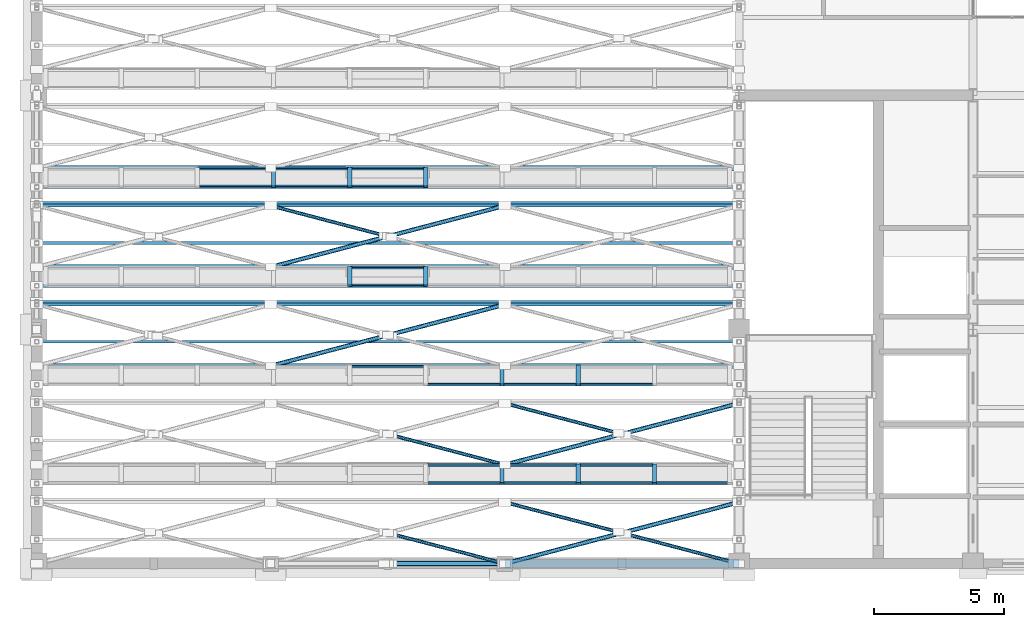
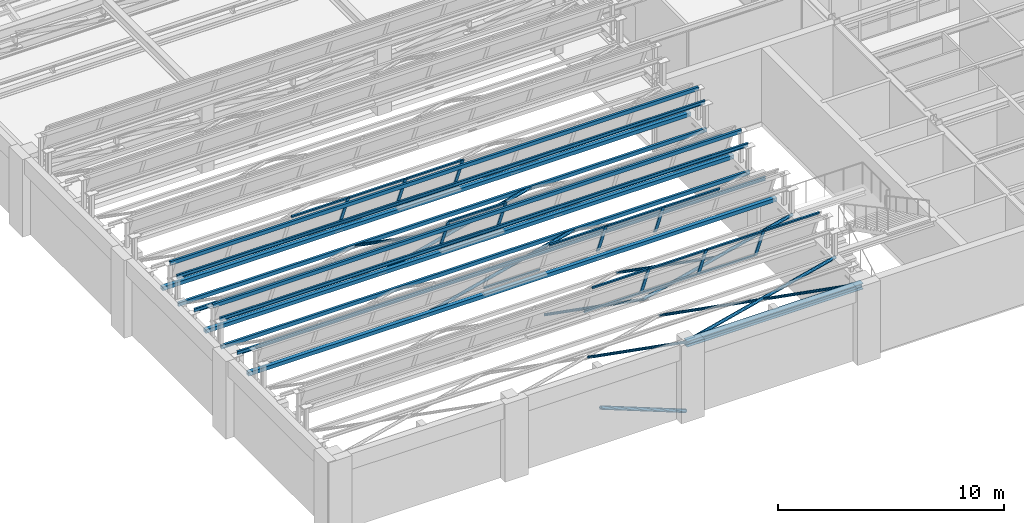
# One storey, part 18 of 108: 47 members, 5 beams, 4 elements without a shape of their own.
"""IFC4 building model written with IfcOpenShell, lengths in metres."""

from ifc_helpers import new_model, si_unit, direction, frame, origin, origin_2d, place, context, subcontext, project, spatial, hollow_rectangle, hollow_circle, i_section, extrude, material, material_profile, profile_set, type_object, element, aggregate, save


model = new_model("IFC4")

# Units and contexts
model_context = context("Model", 3, precision=1e-05, world=origin(), true_north=direction((0.0, 1.0)))
body_context = subcontext(model_context, "Body", "Model", "MODEL_VIEW")
ifc_project = project(units=[si_unit("LENGTHUNIT", "METRE"), si_unit("AREAUNIT", "SQUARE_METRE"), si_unit("VOLUMEUNIT", "CUBIC_METRE"), si_unit("PLANEANGLEUNIT", "RADIAN"), si_unit("MASSUNIT", "GRAM", prefix="KILO")], contexts=[model_context])

# Site, building, storey
site_placement = place(None, origin())
site = spatial("IfcSite", under=ifc_project, at=site_placement, CompositionType="ELEMENT")
building_placement = place(site_placement, origin())
building = spatial("IfcBuilding", under=site, at=building_placement, Name="Lykobir Media Centre", CompositionType="ELEMENT")
storey_placement = place(building_placement, frame((0.0, 0.0, 15.0)))
storey = spatial("IfcBuildingStorey", under=building, at=storey_placement, Name="L03", CompositionType="ELEMENT", Elevation=15.0)

# Members
ifc_material_1 = material(Name="Steel S355", Category="steel")
ifc_material_profile_1 = material_profile(ifc_material_1, hollow_circle(Radius=0.06982421875, WallThickness=0.008056640625, at=origin_2d()), Name="CHS 139.7x8.0")
ifc_profile_set_1 = profile_set([ifc_material_profile_1], Name="Steel S355")
member_type_1 = type_object("IfcMemberType", Name="BR-CHS140", PredefinedType="BRACE", material=ifc_profile_set_1)
for number, where, z_axis, x_axis, name in (
    (1, (18.0, 0.0, 3.840087890625), (-0.967266997824, 0.253760822274, 0.0), (-0.253760822274, -0.967266997824, 0.0), "Diagonal brace MEM2-L03-0180-0000-0188-0136-0011-0152"),
    (2, (27.0, 0.0, 3.840087890625), (-0.967266997824, 0.253760822274, 0.0), (-0.253760822274, -0.967266997824, 0.0), "Diagonal brace MEM2-L03-0270-0000-0188-0226-0011-0155"),
    (3, (22.364501953125, 1.216064453125, 3.840087890625), (-0.967253715929, 0.253811443834, 0.0), (-0.253811443834, -0.967253715929, 0.0), "Diagonal brace MEM2-L03-0224-0012-0188-0180-0024-0156"),
    (4, (18.0, 3.800048828125, 3.840087890625), (-0.967266997824, 0.253760822274, 0.0), (-0.253760822274, -0.967266997824, 0.0), "Diagonal brace MEM2-L03-0180-0038-0188-0136-0049-0172"),
    (5, (22.364501953125, 5.01611328125, 3.840087890625), (-0.967253715929, 0.253811443834, 0.0), (-0.253811443834, -0.967253715929, 0.0), "Diagonal brace MEM2-L03-0224-0050-0188-0180-0062-0176"),
    (6, (13.364501953125, 12.6162109375, 3.840087890625), (-0.967266997824, 0.253760822274, 0.0), (-0.253760822274, -0.967266997824, 0.0), "Diagonal brace MEM2-L03-0134-0126-0188-0090-0138-0213"),
):
    element("IfcMember", number, at=place(storey_placement, frame(where, z_axis=z_axis, x_axis=x_axis)), inside=storey, type_object=member_type_1, Name=name, PredefinedType="BRACE", context=body_context, shape_type="SweptSolid", body=[
        extrude(hollow_circle(Radius=0.06982421875, WallThickness=0.008056640625, at=origin_2d()), origin(), (0.0, 0.0, 1.0), 4.51220703125),
    ])
ifc_material_profile_2 = material_profile(ifc_material_1, hollow_circle(Radius=0.084228515625, WallThickness=0.010009765625, at=origin_2d()), Name="CHS 168.3x10.0")
ifc_profile_set_2 = profile_set([ifc_material_profile_2], Name="Steel S355")
member_type_2 = type_object("IfcMemberType", Name="BR-CHS168", PredefinedType="BRACE", material=ifc_profile_set_2)
for number, where, z_axis, x_axis, name in (
    (7, (18.0, 0.0, 3.840087890625), (0.967261887678, 0.253780299957, 0.0), (-0.253780299957, 0.967261887678, 0.0), "Diagonal brace MEM2-L03-0180-0000-0188-0270-0024-0154"),
    (8, (18.0, 3.800048828125, 3.840087890625), (0.967261887678, 0.253780299957, 0.0), (-0.253780299957, 0.967261887678, 0.0), "Diagonal brace MEM2-L03-0180-0038-0188-0270-0062-0174"),
):
    element("IfcMember", number, at=place(storey_placement, frame(where, z_axis=z_axis, x_axis=x_axis)), inside=storey, type_object=member_type_2, Name=name, PredefinedType="BRACE", context=body_context, shape_type="SweptSolid", body=[
        extrude(hollow_circle(Radius=0.084228515625, WallThickness=0.010009765625, at=origin_2d()), origin(), (0.0, 0.0, 1.0), 9.3046875),
    ])
member_1_placement = place(storey_placement, frame((9.0, 7.60009765625, 3.840087890625), z_axis=(0.967268328265, 0.25375575094, 0.0), x_axis=(-0.25375575094, 0.967268328265, 0.0)))
element("IfcMember", 9, at=member_1_placement, inside=storey, type_object=member_type_2, Name="Diagonal brace MEM2-L03-0090-0076-0188-0180-0100-0191", PredefinedType="BRACE", context=body_context, shape_type="SweptSolid", body=[
    extrude(hollow_circle(Radius=0.084228515625, WallThickness=0.010009765625, at=origin_2d()), origin(), (0.0, 0.0, 1.0), 9.304443359375),
])
member_2_placement = place(storey_placement, frame((9.0, 11.39990234375, 3.840087890625), z_axis=(0.967261887678, 0.253780299957, 0.0), x_axis=(-0.253780299957, 0.967261887678, 0.0)))
element("IfcMember", 10, at=member_2_placement, inside=storey, type_object=member_type_2, Name="Diagonal brace MEM2-L03-0090-0114-0188-0180-0138-0211", PredefinedType="BRACE", context=body_context, shape_type="SweptSolid", body=[
    extrude(hollow_circle(Radius=0.084228515625, WallThickness=0.010009765625, at=origin_2d()), origin(), (0.0, 0.0, 1.0), 9.3046875),
])
ifc_material_profile_3 = material_profile(ifc_material_1, hollow_circle(Radius=0.096923828125, WallThickness=0.010009765625, at=origin_2d()), Name="CHS 193.7x10.0")
ifc_profile_set_3 = profile_set([ifc_material_profile_3], Name="Steel S355")
member_type_3 = type_object("IfcMemberType", Name="BR-CHS194-E", PredefinedType="BRACE", material=ifc_profile_set_3)
member_3_placement = place(storey_placement, frame((18.0, 0.0, 0.1201171875), z_axis=(-0.931310611003, 0.0, 0.364225954365), x_axis=(0.0, -1.0, 0.0)))
element("IfcMember", 11, at=member_3_placement, inside=storey, type_object=member_type_3, Name="Diagonal brace MEM2-L03-0180-0000-0151-0136-0000-0561", PredefinedType="BRACE", context=body_context, shape_type="SweptSolid", body=[
    extrude(hollow_circle(Radius=0.096923828125, WallThickness=0.010009765625, at=origin_2d()), origin(), (0.0, 0.0, 1.0), 4.671875),
])

# Curtain wall, members
ifc_material_2 = material(Name="Anodized Aluminium AW-6060", Category="aluminium")
curtain_wall_type = type_object("IfcCurtainWallType", Name="CW-NL-V1", PredefinedType="NOTDEFINED", material=ifc_material_2)
curtain_wall_1_placement = place(storey_placement, origin())
curtain_wall_1 = element("IfcCurtainWall", 12, at=curtain_wall_1_placement, inside=storey, type_object=curtain_wall_type, Name="Curtain wall CW-NL-V1-01", PredefinedType="NOTDEFINED")
ifc_material_profile_4 = material_profile(ifc_material_2, hollow_rectangle(XDim=0.070068359375, YDim=0.1650390625, WallThickness=0.00390625, at=origin_2d()), Name="ALU MULLION 70x165")
ifc_profile_set_4 = profile_set([ifc_material_profile_4], Name="Anodized Aluminium AW-6060")
member_type_4 = type_object("IfcMemberType", Name="CWM-165", PredefinedType="MULLION", material=ifc_profile_set_4)
member_4_placement = place(storey_placement, frame((17.893310546875, 3.800048828125, 4.199951171875), z_axis=(0.0, -0.374591377287, 0.927190002137), x_axis=(0.0, 0.927190002137, 0.374591377287)))
member_4 = element("IfcMember", 13, at=member_4_placement, type_object=member_type_4, Name="CW-NL-V1-01 mullion 7", PredefinedType="MULLION", context=body_context, shape_type="SweptSolid", body=[
    extrude(hollow_rectangle(XDim=0.070068359375, YDim=0.1650390625, WallThickness=0.00390625, at=origin_2d()), origin(), (0.0, 0.0, 1.0), 1.918701171875),
])
member_5_placement = place(storey_placement, frame((20.822265625, 3.800048828125, 4.199951171875), z_axis=(0.0, -0.374591377287, 0.927190002137), x_axis=(0.0, 0.927190002137, 0.374591377287)))
member_5 = element("IfcMember", 14, at=member_5_placement, type_object=member_type_4, Name="CW-NL-V1-01 mullion 8", PredefinedType="MULLION", context=body_context, shape_type="SweptSolid", body=[
    extrude(hollow_rectangle(XDim=0.070068359375, YDim=0.1650390625, WallThickness=0.00390625, at=origin_2d()), origin(), (0.0, 0.0, 1.0), 1.918701171875),
])
member_6_placement = place(storey_placement, frame((23.751220703125, 3.800048828125, 4.199951171875), z_axis=(0.0, -0.374591377287, 0.927190002137), x_axis=(0.0, 0.927190002137, 0.374591377287)))
member_6 = element("IfcMember", 15, at=member_6_placement, type_object=member_type_4, Name="CW-NL-V1-01 mullion 9", PredefinedType="MULLION", context=body_context, shape_type="SweptSolid", body=[
    extrude(hollow_rectangle(XDim=0.070068359375, YDim=0.1650390625, WallThickness=0.00390625, at=origin_2d()), origin(), (0.0, 0.0, 1.0), 1.918701171875),
])

curtain_wall_2_placement = place(storey_placement, origin())
curtain_wall_2 = element("IfcCurtainWall", 16, at=curtain_wall_2_placement, inside=storey, type_object=curtain_wall_type, Name="Curtain wall CW-NL-V1-02", PredefinedType="NOTDEFINED")
member_7_placement = place(storey_placement, frame((17.893310546875, 7.60009765625, 4.199951171875), z_axis=(0.0, -0.374700754386, 0.927145805504), x_axis=(0.0, 0.927145805504, 0.374700754386)))
member_7 = element("IfcMember", 17, at=member_7_placement, type_object=member_type_4, Name="CW-NL-V1-02 mullion 7", PredefinedType="MULLION", context=body_context, shape_type="SweptSolid", body=[
    extrude(hollow_rectangle(XDim=0.070068359375, YDim=0.1650390625, WallThickness=0.00390625, at=origin_2d()), origin(), (0.0, 0.0, 1.0), 1.9189453125),
])
member_8_placement = place(storey_placement, frame((20.822265625, 7.60009765625, 4.199951171875), z_axis=(0.0, -0.374700754386, 0.927145805504), x_axis=(0.0, 0.927145805504, 0.374700754386)))
member_8 = element("IfcMember", 18, at=member_8_placement, type_object=member_type_4, Name="CW-NL-V1-02 mullion 8", PredefinedType="MULLION", context=body_context, shape_type="SweptSolid", body=[
    extrude(hollow_rectangle(XDim=0.070068359375, YDim=0.1650390625, WallThickness=0.00390625, at=origin_2d()), origin(), (0.0, 0.0, 1.0), 1.9189453125),
])

curtain_wall_3_placement = place(storey_placement, origin())
curtain_wall_3 = element("IfcCurtainWall", 19, at=curtain_wall_3_placement, inside=storey, type_object=curtain_wall_type, Name="Curtain wall CW-NL-V1-03", PredefinedType="NOTDEFINED")
member_9_placement = place(storey_placement, frame((12.03564453125, 11.39990234375, 4.199951171875), z_axis=(0.0, -0.374591377287, 0.927190002137), x_axis=(0.0, 0.927190002137, 0.374591377287)))
member_9 = element("IfcMember", 20, at=member_9_placement, type_object=member_type_4, Name="CW-NL-V1-03 mullion 5", PredefinedType="MULLION", context=body_context, shape_type="SweptSolid", body=[
    extrude(hollow_rectangle(XDim=0.070068359375, YDim=0.1650390625, WallThickness=0.00390625, at=origin_2d()), origin(), (0.0, 0.0, 1.0), 1.918701171875),
])
member_10_placement = place(storey_placement, frame((14.96435546875, 11.39990234375, 4.199951171875), z_axis=(0.0, -0.374591377287, 0.927190002137), x_axis=(0.0, 0.927190002137, 0.374591377287)))
member_10 = element("IfcMember", 21, at=member_10_placement, type_object=member_type_4, Name="CW-NL-V1-03 mullion 6", PredefinedType="MULLION", context=body_context, shape_type="SweptSolid", body=[
    extrude(hollow_rectangle(XDim=0.070068359375, YDim=0.1650390625, WallThickness=0.00390625, at=origin_2d()), origin(), (0.0, 0.0, 1.0), 1.918701171875),
])

curtain_wall_4_placement = place(storey_placement, origin())
curtain_wall_4 = element("IfcCurtainWall", 22, at=curtain_wall_4_placement, inside=storey, type_object=curtain_wall_type, Name="Curtain wall CW-NL-V1-04", PredefinedType="NOTDEFINED")
member_11_placement = place(storey_placement, frame((9.106689453125, 15.199951171875, 4.199951171875), z_axis=(0.0, -0.374591377287, 0.927190002137), x_axis=(0.0, 0.927190002137, 0.374591377287)))
member_11 = element("IfcMember", 23, at=member_11_placement, type_object=member_type_4, Name="CW-NL-V1-04 mullion 4", PredefinedType="MULLION", context=body_context, shape_type="SweptSolid", body=[
    extrude(hollow_rectangle(XDim=0.070068359375, YDim=0.1650390625, WallThickness=0.00390625, at=origin_2d()), origin(), (0.0, 0.0, 1.0), 1.918701171875),
])
member_12_placement = place(storey_placement, frame((12.03564453125, 15.199951171875, 4.199951171875), z_axis=(0.0, -0.374591377287, 0.927190002137), x_axis=(0.0, 0.927190002137, 0.374591377287)))
member_12 = element("IfcMember", 24, at=member_12_placement, type_object=member_type_4, Name="CW-NL-V1-04 mullion 5", PredefinedType="MULLION", context=body_context, shape_type="SweptSolid", body=[
    extrude(hollow_rectangle(XDim=0.070068359375, YDim=0.1650390625, WallThickness=0.00390625, at=origin_2d()), origin(), (0.0, 0.0, 1.0), 1.918701171875),
])
member_13_placement = place(storey_placement, frame((14.96435546875, 15.199951171875, 4.199951171875), z_axis=(0.0, -0.374591377287, 0.927190002137), x_axis=(0.0, 0.927190002137, 0.374591377287)))
member_13 = element("IfcMember", 25, at=member_13_placement, type_object=member_type_4, Name="CW-NL-V1-04 mullion 6", PredefinedType="MULLION", context=body_context, shape_type="SweptSolid", body=[
    extrude(hollow_rectangle(XDim=0.070068359375, YDim=0.1650390625, WallThickness=0.00390625, at=origin_2d()), origin(), (0.0, 0.0, 1.0), 1.918701171875),
])

# Member
ifc_material_profile_5 = material_profile(ifc_material_2, hollow_rectangle(XDim=0.070068359375, YDim=0.135009765625, WallThickness=0.00341796875, at=origin_2d()), Name="ALU TRANSOM 70x135")
ifc_profile_set_5 = profile_set([ifc_material_profile_5], Name="Anodized Aluminium AW-6060")
member_type_5 = type_object("IfcMemberType", Name="CWT-135", PredefinedType="USERDEFINED", material=ifc_profile_set_5)
member_14_placement = place(storey_placement, frame((14.99951171875, 3.786865234375, 4.232421875), z_axis=(1.0, 0.0, 0.0), x_axis=(0.0, 0.927183854567, 0.374606593416)))
member_14 = element("IfcMember", 26, at=member_14_placement, type_object=member_type_5, Name="CW-NL-V1-01 transom 6.1", ObjectType="TRANSOM", PredefinedType="USERDEFINED", context=body_context, shape_type="SweptSolid", body=[
    extrude(hollow_rectangle(XDim=0.070068359375, YDim=0.135009765625, WallThickness=0.00341796875, at=origin_2d()), origin(), (0.0, 0.0, 1.0), 2.85888671875),
])

member_15_placement = place(storey_placement, frame((14.99951171875, 3.094482421875, 5.946533203125), z_axis=(1.0, 0.0, 0.0), x_axis=(0.0, 0.927183854567, 0.374606593416)))
member_15 = element("IfcMember", 27, at=member_15_placement, type_object=member_type_5, Name="CW-NL-V1-01 transom 6.2", ObjectType="TRANSOM", PredefinedType="USERDEFINED", context=body_context, shape_type="SweptSolid", body=[
    extrude(hollow_rectangle(XDim=0.070068359375, YDim=0.135009765625, WallThickness=0.00341796875, at=origin_2d()), origin(), (0.0, 0.0, 1.0), 2.85888671875),
])

member_16_placement = place(storey_placement, frame((17.92822265625, 3.786865234375, 4.232421875), z_axis=(1.0, 0.0, 0.0), x_axis=(0.0, 0.927183854567, 0.374606593416)))
member_16 = element("IfcMember", 28, at=member_16_placement, type_object=member_type_5, Name="CW-NL-V1-01 transom 7.1", ObjectType="TRANSOM", PredefinedType="USERDEFINED", context=body_context, shape_type="SweptSolid", body=[
    extrude(hollow_rectangle(XDim=0.070068359375, YDim=0.135009765625, WallThickness=0.00341796875, at=origin_2d()), origin(), (0.0, 0.0, 1.0), 2.85888671875),
])

member_17_placement = place(storey_placement, frame((17.92822265625, 3.094482421875, 5.946533203125), z_axis=(1.0, 0.0, 0.0), x_axis=(0.0, 0.927183854567, 0.374606593416)))
member_17 = element("IfcMember", 29, at=member_17_placement, type_object=member_type_5, Name="CW-NL-V1-01 transom 7.2", ObjectType="TRANSOM", PredefinedType="USERDEFINED", context=body_context, shape_type="SweptSolid", body=[
    extrude(hollow_rectangle(XDim=0.070068359375, YDim=0.135009765625, WallThickness=0.00341796875, at=origin_2d()), origin(), (0.0, 0.0, 1.0), 2.85888671875),
])

member_18_placement = place(storey_placement, frame((20.857177734375, 3.786865234375, 4.232421875), z_axis=(1.0, 0.0, 0.0), x_axis=(0.0, 0.927183854567, 0.374606593416)))
member_18 = element("IfcMember", 30, at=member_18_placement, type_object=member_type_5, Name="CW-NL-V1-01 transom 8.1", ObjectType="TRANSOM", PredefinedType="USERDEFINED", context=body_context, shape_type="SweptSolid", body=[
    extrude(hollow_rectangle(XDim=0.070068359375, YDim=0.135009765625, WallThickness=0.00341796875, at=origin_2d()), origin(), (0.0, 0.0, 1.0), 2.85888671875),
])

member_19_placement = place(storey_placement, frame((20.857177734375, 3.094482421875, 5.946533203125), z_axis=(1.0, 0.0, 0.0), x_axis=(0.0, 0.927183854567, 0.374606593416)))
member_19 = element("IfcMember", 31, at=member_19_placement, type_object=member_type_5, Name="CW-NL-V1-01 transom 8.2", ObjectType="TRANSOM", PredefinedType="USERDEFINED", context=body_context, shape_type="SweptSolid", body=[
    extrude(hollow_rectangle(XDim=0.070068359375, YDim=0.135009765625, WallThickness=0.00341796875, at=origin_2d()), origin(), (0.0, 0.0, 1.0), 2.85888671875),
])

member_20_placement = place(storey_placement, frame((23.7861328125, 3.094482421875, 5.946533203125), z_axis=(1.0, 0.0, 0.0), x_axis=(0.0, 0.927183854567, 0.374606593416)))
member_20 = element("IfcMember", 32, at=member_20_placement, type_object=member_type_5, Name="CW-NL-V1-01 transom 9.2", ObjectType="TRANSOM", PredefinedType="USERDEFINED", context=body_context, shape_type="SweptSolid", body=[
    extrude(hollow_rectangle(XDim=0.070068359375, YDim=0.135009765625, WallThickness=0.00341796875, at=origin_2d()), origin(), (0.0, 0.0, 1.0), 2.823974609375),
])

aggregate(curtain_wall_1, [member_4, member_5, member_6, member_14, member_15, member_16, member_17, member_18, member_19, member_20])

member_21_placement = place(storey_placement, frame((12.070556640625, 7.5869140625, 4.232421875), z_axis=(1.0, 0.0, 0.0), x_axis=(0.0, 0.927183854567, 0.374606593416)))
member_21 = element("IfcMember", 33, at=member_21_placement, type_object=member_type_5, Name="CW-NL-V1-02 transom 5.1", ObjectType="TRANSOM", PredefinedType="USERDEFINED", context=body_context, shape_type="SweptSolid", body=[
    extrude(hollow_rectangle(XDim=0.070068359375, YDim=0.135009765625, WallThickness=0.00341796875, at=origin_2d()), origin(), (0.0, 0.0, 1.0), 2.85888671875),
])

member_22_placement = place(storey_placement, frame((14.99951171875, 6.894287109375, 5.946533203125), z_axis=(1.0, 0.0, 0.0), x_axis=(0.0, 0.927183854567, 0.374606593416)))
member_22 = element("IfcMember", 34, at=member_22_placement, type_object=member_type_5, Name="CW-NL-V1-02 transom 6.2", ObjectType="TRANSOM", PredefinedType="USERDEFINED", context=body_context, shape_type="SweptSolid", body=[
    extrude(hollow_rectangle(XDim=0.070068359375, YDim=0.135009765625, WallThickness=0.00341796875, at=origin_2d()), origin(), (0.0, 0.0, 1.0), 2.85888671875),
])

member_23_placement = place(storey_placement, frame((17.92822265625, 6.894287109375, 5.946533203125), z_axis=(1.0, 0.0, 0.0), x_axis=(0.0, 0.927183854567, 0.374606593416)))
member_23 = element("IfcMember", 35, at=member_23_placement, type_object=member_type_5, Name="CW-NL-V1-02 transom 7.2", ObjectType="TRANSOM", PredefinedType="USERDEFINED", context=body_context, shape_type="SweptSolid", body=[
    extrude(hollow_rectangle(XDim=0.070068359375, YDim=0.135009765625, WallThickness=0.00341796875, at=origin_2d()), origin(), (0.0, 0.0, 1.0), 2.85888671875),
])

member_24_placement = place(storey_placement, frame((20.857177734375, 6.894287109375, 5.946533203125), z_axis=(1.0, 0.0, 0.0), x_axis=(0.0, 0.927183854567, 0.374606593416)))
member_24 = element("IfcMember", 36, at=member_24_placement, type_object=member_type_5, Name="CW-NL-V1-02 transom 8.2", ObjectType="TRANSOM", PredefinedType="USERDEFINED", context=body_context, shape_type="SweptSolid", body=[
    extrude(hollow_rectangle(XDim=0.070068359375, YDim=0.135009765625, WallThickness=0.00341796875, at=origin_2d()), origin(), (0.0, 0.0, 1.0), 2.85888671875),
])

aggregate(curtain_wall_2, [member_7, member_8, member_21, member_22, member_23, member_24])

member_25_placement = place(storey_placement, frame((12.070556640625, 11.386962890625, 4.232421875), z_axis=(1.0, 0.0, 0.0), x_axis=(0.0, 0.927183854567, 0.374606593416)))
member_25 = element("IfcMember", 37, at=member_25_placement, type_object=member_type_5, Name="CW-NL-V1-03 transom 5.1", ObjectType="TRANSOM", PredefinedType="USERDEFINED", context=body_context, shape_type="SweptSolid", body=[
    extrude(hollow_rectangle(XDim=0.070068359375, YDim=0.135009765625, WallThickness=0.00341796875, at=origin_2d()), origin(), (0.0, 0.0, 1.0), 2.85888671875),
])

member_26_placement = place(storey_placement, frame((12.070556640625, 10.6943359375, 5.946533203125), z_axis=(1.0, 0.0, 0.0), x_axis=(0.0, 0.927183854567, 0.374606593416)))
member_26 = element("IfcMember", 38, at=member_26_placement, type_object=member_type_5, Name="CW-NL-V1-03 transom 5.2", ObjectType="TRANSOM", PredefinedType="USERDEFINED", context=body_context, shape_type="SweptSolid", body=[
    extrude(hollow_rectangle(XDim=0.070068359375, YDim=0.135009765625, WallThickness=0.00341796875, at=origin_2d()), origin(), (0.0, 0.0, 1.0), 2.85888671875),
])

aggregate(curtain_wall_3, [member_9, member_10, member_25, member_26])

member_27_placement = place(storey_placement, frame((6.212890625, 15.18701171875, 4.232421875), z_axis=(1.0, 0.0, 0.0), x_axis=(0.0, 0.927183854567, 0.374606593416)))
member_27 = element("IfcMember", 39, at=member_27_placement, type_object=member_type_5, Name="CW-NL-V1-04 transom 3.1", ObjectType="TRANSOM", PredefinedType="USERDEFINED", context=body_context, shape_type="SweptSolid", body=[
    extrude(hollow_rectangle(XDim=0.070068359375, YDim=0.135009765625, WallThickness=0.00341796875, at=origin_2d()), origin(), (0.0, 0.0, 1.0), 2.85888671875),
])

member_28_placement = place(storey_placement, frame((6.212890625, 14.494384765625, 5.946533203125), z_axis=(1.0, 0.0, 0.0), x_axis=(0.0, 0.927183854567, 0.374606593416)))
member_28 = element("IfcMember", 40, at=member_28_placement, type_object=member_type_5, Name="CW-NL-V1-04 transom 3.2", ObjectType="TRANSOM", PredefinedType="USERDEFINED", context=body_context, shape_type="SweptSolid", body=[
    extrude(hollow_rectangle(XDim=0.070068359375, YDim=0.135009765625, WallThickness=0.00341796875, at=origin_2d()), origin(), (0.0, 0.0, 1.0), 2.85888671875),
])

member_29_placement = place(storey_placement, frame((9.1416015625, 15.18701171875, 4.232421875), z_axis=(1.0, 0.0, 0.0), x_axis=(0.0, 0.927183854567, 0.374606593416)))
member_29 = element("IfcMember", 41, at=member_29_placement, type_object=member_type_5, Name="CW-NL-V1-04 transom 4.1", ObjectType="TRANSOM", PredefinedType="USERDEFINED", context=body_context, shape_type="SweptSolid", body=[
    extrude(hollow_rectangle(XDim=0.070068359375, YDim=0.135009765625, WallThickness=0.00341796875, at=origin_2d()), origin(), (0.0, 0.0, 1.0), 2.85888671875),
])

member_30_placement = place(storey_placement, frame((9.1416015625, 14.494384765625, 5.946533203125), z_axis=(1.0, 0.0, 0.0), x_axis=(0.0, 0.927183854567, 0.374606593416)))
member_30 = element("IfcMember", 42, at=member_30_placement, type_object=member_type_5, Name="CW-NL-V1-04 transom 4.2", ObjectType="TRANSOM", PredefinedType="USERDEFINED", context=body_context, shape_type="SweptSolid", body=[
    extrude(hollow_rectangle(XDim=0.070068359375, YDim=0.135009765625, WallThickness=0.00341796875, at=origin_2d()), origin(), (0.0, 0.0, 1.0), 2.85888671875),
])

member_31_placement = place(storey_placement, frame((12.070556640625, 15.18701171875, 4.232421875), z_axis=(1.0, 0.0, 0.0), x_axis=(0.0, 0.927183854567, 0.374606593416)))
member_31 = element("IfcMember", 43, at=member_31_placement, type_object=member_type_5, Name="CW-NL-V1-04 transom 5.1", ObjectType="TRANSOM", PredefinedType="USERDEFINED", context=body_context, shape_type="SweptSolid", body=[
    extrude(hollow_rectangle(XDim=0.070068359375, YDim=0.135009765625, WallThickness=0.00341796875, at=origin_2d()), origin(), (0.0, 0.0, 1.0), 2.85888671875),
])

member_32_placement = place(storey_placement, frame((12.070556640625, 14.494384765625, 5.946533203125), z_axis=(1.0, 0.0, 0.0), x_axis=(0.0, 0.927183854567, 0.374606593416)))
member_32 = element("IfcMember", 44, at=member_32_placement, type_object=member_type_5, Name="CW-NL-V1-04 transom 5.2", ObjectType="TRANSOM", PredefinedType="USERDEFINED", context=body_context, shape_type="SweptSolid", body=[
    extrude(hollow_rectangle(XDim=0.070068359375, YDim=0.135009765625, WallThickness=0.00341796875, at=origin_2d()), origin(), (0.0, 0.0, 1.0), 2.85888671875),
])

aggregate(curtain_wall_4, [member_11, member_12, member_13, member_27, member_28, member_29, member_30, member_31, member_32])

# Beams
ifc_material_profile_6 = material_profile(ifc_material_1, i_section(OverallWidth=0.10009765625, OverallDepth=0.199951171875, WebThickness=0.005615234375, FlangeThickness=0.008544921875, at=origin_2d()), Name="IPE 200")
ifc_profile_set_6 = profile_set([ifc_material_profile_6], Name="Steel S355")
beam_type_1 = type_object("IfcBeamType", Name="PR-IPE200", PredefinedType="JOIST", material=ifc_profile_set_6)
for number, where, z_axis, x_axis, name in (
    (45, (0.0, 8.52734375, 4.372802734375), (1.0, 0.0, 0.0), (0.0, 1.0, 0.0), "Beam BM-L03-0000-0085-0270-0085-1937"),
    (46, (0.0, 10.06787109375, 5.26220703125), (1.0, 0.0, 0.0), (0.0, 1.0, 0.0), "Beam BM-L03-0000-0101-0270-0101-2026"),
    (47, (0.0, 12.327392578125, 4.372802734375), (1.0, 0.0, 0.0), (0.0, 1.0, 0.0), "Beam BM-L03-0000-0123-0270-0123-1937"),
    (48, (0.0, 13.867919921875, 5.26220703125), (1.0, 0.0, 0.0), (0.0, 1.0, 0.0), "Beam BM-L03-0000-0139-0270-0139-2026"),
):
    element("IfcBeam", number, at=place(storey_placement, frame(where, z_axis=z_axis, x_axis=x_axis)), inside=storey, type_object=beam_type_1, Name=name, PredefinedType="JOIST", context=body_context, shape_type="SweptSolid", body=[
        extrude(i_section(OverallWidth=0.10009765625, OverallDepth=0.199951171875, WebThickness=0.005615234375, FlangeThickness=0.008544921875, at=origin_2d()), origin(), (0.0, 0.0, 1.0), 27.0),
    ])
ifc_material_profile_7 = material_profile(ifc_material_1, i_section(OverallWidth=0.300048828125, OverallDepth=0.31005859375, WebThickness=0.009033203125, FlangeThickness=0.015380859375, at=origin_2d()), Name="HEA 320")
ifc_profile_set_7 = profile_set([ifc_material_profile_7], Name="Steel S355")
beam_type_2 = type_object("IfcBeamType", Name="SP-HEA320-E", PredefinedType="SPANDREL", material=ifc_profile_set_7)
beam_placement = place(storey_placement, frame((18.0, 0.0, 3.794921875), z_axis=(1.0, 0.0, 0.0), x_axis=(0.0, 1.0, 0.0)))
element("IfcBeam", 49, at=beam_placement, inside=storey, type_object=beam_type_2, Name="Beam BM-L03-0180-0000-0270-0000-1880", PredefinedType="SPANDREL", context=body_context, shape_type="SweptSolid", body=[
    extrude(i_section(OverallWidth=0.300048828125, OverallDepth=0.31005859375, WebThickness=0.009033203125, FlangeThickness=0.015380859375, at=origin_2d()), origin(), (0.0, 0.0, 1.0), 9.0),
])

# Members
ifc_material_profile_8 = material_profile(ifc_material_1, hollow_rectangle(XDim=0.1201171875, YDim=0.199951171875, WallThickness=0.010009765625, at=origin_2d()), Name="RHS 200x120x10")
ifc_profile_set_8 = profile_set([ifc_material_profile_8], Name="Steel S355")
member_type_6 = type_object("IfcMemberType", Name="TC-RHS200", PredefinedType="CHORD", material=ifc_profile_set_8)
for number, where, z_axis, x_axis, name in (
    (50, (0.0, 10.681396484375, 5.62890625), (1.0, 0.0, 0.0), (0.0, 1.0, 0.0), "Truss chord MEM2-L03-0000-0107-0206-0270-0107-0186"),
    (51, (0.0, 9.961181640625, 3.840087890625), (1.0, 0.0, 0.0), (0.0, 1.0, 0.0), "Truss chord MEM2-L03-0000-0100-0188-0270-0100-0187"),
    (52, (0.0, 14.481201171875, 5.62890625), (1.0, 0.0, 0.0), (0.0, 1.0, 0.0), "Truss chord MEM2-L03-0000-0145-0206-0270-0145-0206"),
    (53, (0.0, 13.76123046875, 3.840087890625), (1.0, 0.0, 0.0), (0.0, 1.0, 0.0), "Truss chord MEM2-L03-0000-0138-0188-0270-0138-0207"),
):
    element("IfcMember", number, at=place(storey_placement, frame(where, z_axis=z_axis, x_axis=x_axis)), inside=storey, type_object=member_type_6, Name=name, PredefinedType="CHORD", context=body_context, shape_type="SweptSolid", body=[
        extrude(hollow_rectangle(XDim=0.1201171875, YDim=0.199951171875, WallThickness=0.010009765625, at=origin_2d()), origin(), (0.0, 0.0, 1.0), 27.0),
    ])
ifc_material_profile_9 = material_profile(ifc_material_1, hollow_rectangle(XDim=0.199951171875, YDim=0.199951171875, WallThickness=0.010009765625, at=origin_2d()), Name="SHS 200x200x10")
ifc_profile_set_9 = profile_set([ifc_material_profile_9], Name="Steel S355")
member_type_7 = type_object("IfcMemberType", Name="TC-SHS200", PredefinedType="CHORD", material=ifc_profile_set_9)
for number, where, z_axis, x_axis, name in (
    (54, (0.0, 7.60009765625, 3.840087890625), (1.0, 0.0, 0.0), (0.0, 1.0, 0.0), "Truss chord MEM2-L03-0000-0076-0188-0270-0076-0181"),
    (55, (0.0, 11.39990234375, 3.840087890625), (1.0, 0.0, 0.0), (0.0, 1.0, 0.0), "Truss chord MEM2-L03-0000-0114-0188-0270-0114-0201"),
    (56, (0.0, 15.199951171875, 3.840087890625), (1.0, 0.0, 0.0), (0.0, 1.0, 0.0), "Truss chord MEM2-L03-0000-0152-0188-0270-0152-0221"),
):
    element("IfcMember", number, at=place(storey_placement, frame(where, z_axis=z_axis, x_axis=x_axis)), inside=storey, type_object=member_type_7, Name=name, PredefinedType="CHORD", context=body_context, shape_type="SweptSolid", body=[
        extrude(hollow_rectangle(XDim=0.199951171875, YDim=0.199951171875, WallThickness=0.010009765625, at=origin_2d()), origin(), (0.0, 0.0, 1.0), 27.0),
    ])

save(model, "model.ifc")
